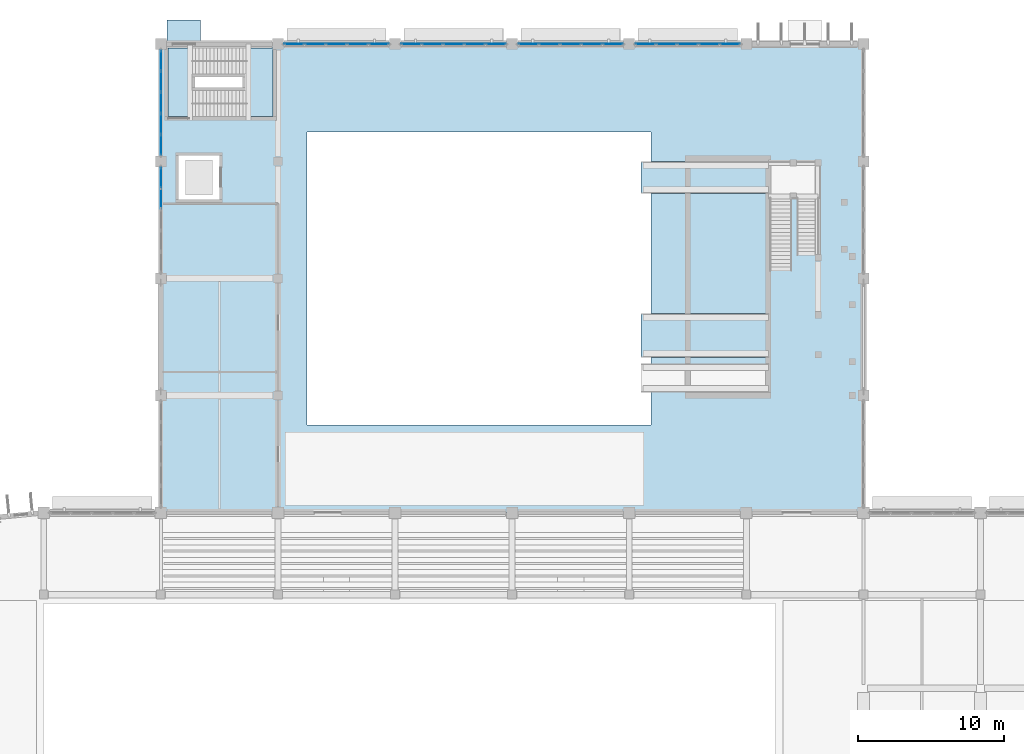
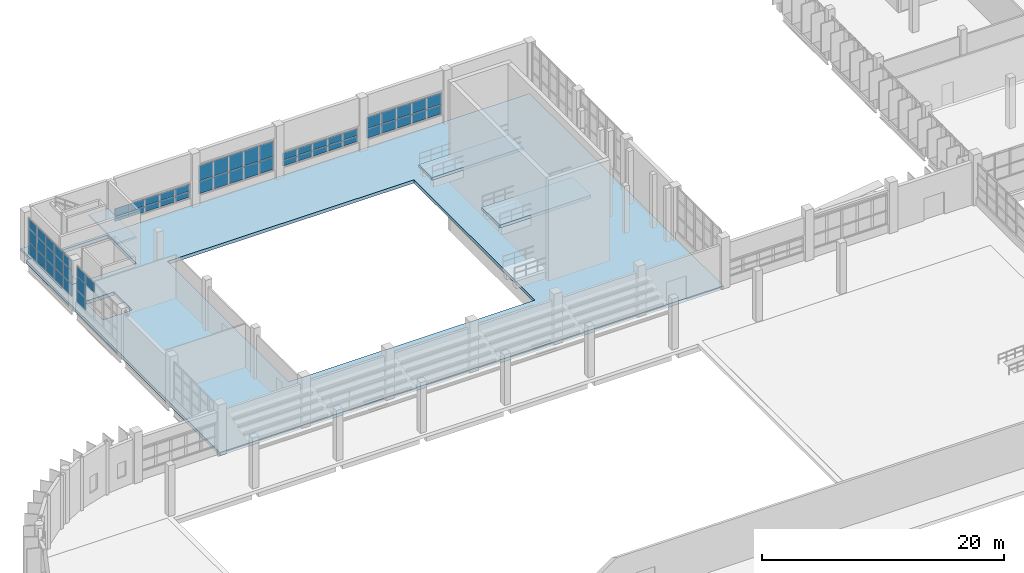
# One storey, part 58 of 103: 59 plates, 6 slabs, 7 elements without a shape of their own.
"""IFC4 building model written with IfcOpenShell, lengths in metres."""

from ifc_helpers import new_model, si_unit, direction, frame, origin, origin_2d, place, context, subcontext, project, spatial, polyline, rectangle, outline, extrude, material, layer, layer_set, type_object, element, aggregate, save


model = new_model("IFC4")

# Units and contexts
model_context = context("Model", 3, precision=1e-05, world=origin(), true_north=direction((0.0, 1.0)))
body_context = subcontext(model_context, "Body", "Model", "MODEL_VIEW")
ifc_project = project(units=[si_unit("LENGTHUNIT", "METRE"), si_unit("AREAUNIT", "SQUARE_METRE"), si_unit("VOLUMEUNIT", "CUBIC_METRE"), si_unit("PLANEANGLEUNIT", "RADIAN"), si_unit("MASSUNIT", "GRAM", prefix="KILO")], contexts=[model_context])

# Site, building, storey
site_placement = place(None, origin())
site = spatial("IfcSite", under=ifc_project, at=site_placement, CompositionType="ELEMENT")
building_placement = place(site_placement, origin())
building = spatial("IfcBuilding", under=site, at=building_placement, Name="Drelvana Railside Aquatics Centre", CompositionType="ELEMENT")
storey_placement = place(building_placement, origin())
storey = spatial("IfcBuildingStorey", under=building, at=storey_placement, Name="L00", CompositionType="ELEMENT", Elevation=0.0)

# Curtain wall, plates
ifc_material_1 = material(Name="Bronze-anodised aluminium curtain wall", Category="aluminium")
ifc_layer_1 = layer(ifc_material_1, 0.199951171875, Name="Bronze-anodised aluminium curtain wall")
ifc_layer_set_1 = layer_set([ifc_layer_1], Name="Bronze-anodised aluminium curtain wall")
curtain_wall_type_1 = type_object("IfcCurtainWallType", Name="CW-Z1-SINE", PredefinedType="NOTDEFINED", material=ifc_layer_set_1)
curtain_wall_1_placement = place(storey_placement, origin())
curtain_wall_1 = element("IfcCurtainWall", 1, at=curtain_wall_1_placement, inside=storey, type_object=curtain_wall_type_1, Name="Curtain wall CW-01-028", PredefinedType="NOTDEFINED")
ifc_material_2 = material(Name="Double-glazed low-e solar-control glass", Category="glass")
ifc_layer_2 = layer(ifc_material_2, 0.031982421875, Name="Double-glazed low-e solar-control glass")
ifc_layer_set_2 = layer_set([ifc_layer_2], Name="Double-glazed low-e solar-control glass")
plate_type_1 = type_object("IfcPlateType", Name="CW-Z1-SINE-PAN", PredefinedType="CURTAIN_PANEL", material=ifc_layer_set_2)
plate_1_placement = place(storey_placement, frame((33.114013671875, 116.0, 0.9091796875), z_axis=(0.0, 0.0, 1.0), x_axis=(1.0, 0.0, 0.0)))
plate_1 = element("IfcPlate", 2, at=plate_1_placement, type_object=plate_type_1, Name="CW-01 panel 1.1", PredefinedType="CURTAIN_PANEL", context=body_context, shape_type="SweptSolid", body=[
    extrude(rectangle(XDim=1.349853515625, YDim=0.031982421875, at=origin_2d()), origin(), (0.0, 0.0, 1.0), 0.551025390625),
])
plate_2_placement = place(storey_placement, frame((33.114013671875, 116.0, 1.52001953125), z_axis=(0.0, 0.0, 1.0), x_axis=(1.0, 0.0, 0.0)))
plate_2 = element("IfcPlate", 3, at=plate_2_placement, type_object=plate_type_1, Name="CW-01 panel 1.2", PredefinedType="CURTAIN_PANEL", context=body_context, shape_type="SweptSolid", body=[
    extrude(rectangle(XDim=1.349853515625, YDim=0.031982421875, at=origin_2d()), origin(), (0.0, 0.0, 1.0), 0.695068359375),
])
plate_3_placement = place(storey_placement, frame((34.547607421875, 116.0, 0.9091796875), z_axis=(0.0, 0.0, 1.0), x_axis=(1.0, 0.0, 0.0)))
plate_3 = element("IfcPlate", 4, at=plate_3_placement, type_object=plate_type_1, Name="CW-01 panel 2.1", PredefinedType="CURTAIN_PANEL", context=body_context, shape_type="SweptSolid", body=[
    extrude(rectangle(XDim=1.387451171875, YDim=0.031982421875, at=origin_2d()), origin(), (0.0, 0.0, 1.0), 0.551025390625),
])
plate_4_placement = place(storey_placement, frame((34.547607421875, 116.0, 1.52001953125), z_axis=(0.0, 0.0, 1.0), x_axis=(1.0, 0.0, 0.0)))
plate_4 = element("IfcPlate", 5, at=plate_4_placement, type_object=plate_type_1, Name="CW-01 panel 2.2", PredefinedType="CURTAIN_PANEL", context=body_context, shape_type="SweptSolid", body=[
    extrude(rectangle(XDim=1.387451171875, YDim=0.031982421875, at=origin_2d()), origin(), (0.0, 0.0, 1.0), 0.695068359375),
])
plate_5_placement = place(storey_placement, frame((36.0, 116.0, 0.9091796875), z_axis=(0.0, 0.0, 1.0), x_axis=(1.0, 0.0, 0.0)))
plate_5 = element("IfcPlate", 6, at=plate_5_placement, type_object=plate_type_1, Name="CW-01 panel 3.1", PredefinedType="CURTAIN_PANEL", context=body_context, shape_type="SweptSolid", body=[
    extrude(rectangle(XDim=1.387451171875, YDim=0.031982421875, at=origin_2d()), origin(), (0.0, 0.0, 1.0), 0.551025390625),
])
plate_6_placement = place(storey_placement, frame((36.0, 116.0, 1.52001953125), z_axis=(0.0, 0.0, 1.0), x_axis=(1.0, 0.0, 0.0)))
plate_6 = element("IfcPlate", 7, at=plate_6_placement, type_object=plate_type_1, Name="CW-01 panel 3.2", PredefinedType="CURTAIN_PANEL", context=body_context, shape_type="SweptSolid", body=[
    extrude(rectangle(XDim=1.387451171875, YDim=0.031982421875, at=origin_2d()), origin(), (0.0, 0.0, 1.0), 0.695068359375),
])
plate_7_placement = place(storey_placement, frame((37.452392578125, 116.0, 0.9091796875), z_axis=(0.0, 0.0, 1.0), x_axis=(1.0, 0.0, 0.0)))
plate_7 = element("IfcPlate", 8, at=plate_7_placement, type_object=plate_type_1, Name="CW-01 panel 4.1", PredefinedType="CURTAIN_PANEL", context=body_context, shape_type="SweptSolid", body=[
    extrude(rectangle(XDim=1.387451171875, YDim=0.031982421875, at=origin_2d()), origin(), (0.0, 0.0, 1.0), 0.551025390625),
])
plate_8_placement = place(storey_placement, frame((37.452392578125, 116.0, 1.52001953125), z_axis=(0.0, 0.0, 1.0), x_axis=(1.0, 0.0, 0.0)))
plate_8 = element("IfcPlate", 9, at=plate_8_placement, type_object=plate_type_1, Name="CW-01 panel 4.2", PredefinedType="CURTAIN_PANEL", context=body_context, shape_type="SweptSolid", body=[
    extrude(rectangle(XDim=1.387451171875, YDim=0.031982421875, at=origin_2d()), origin(), (0.0, 0.0, 1.0), 0.695068359375),
])
plate_9_placement = place(storey_placement, frame((38.885986328125, 116.0, 0.9091796875), z_axis=(0.0, 0.0, 1.0), x_axis=(1.0, 0.0, 0.0)))
plate_9 = element("IfcPlate", 10, at=plate_9_placement, type_object=plate_type_1, Name="CW-01 panel 5.1", PredefinedType="CURTAIN_PANEL", context=body_context, shape_type="SweptSolid", body=[
    extrude(rectangle(XDim=1.349853515625, YDim=0.031982421875, at=origin_2d()), origin(), (0.0, 0.0, 1.0), 0.551025390625),
])
plate_10_placement = place(storey_placement, frame((38.885986328125, 116.0, 1.52001953125), z_axis=(0.0, 0.0, 1.0), x_axis=(1.0, 0.0, 0.0)))
plate_10 = element("IfcPlate", 11, at=plate_10_placement, type_object=plate_type_1, Name="CW-01 panel 5.2", PredefinedType="CURTAIN_PANEL", context=body_context, shape_type="SweptSolid", body=[
    extrude(rectangle(XDim=1.349853515625, YDim=0.031982421875, at=origin_2d()), origin(), (0.0, 0.0, 1.0), 0.695068359375),
])
aggregate(curtain_wall_1, [plate_1, plate_2, plate_3, plate_4, plate_5, plate_6, plate_7, plate_8, plate_9, plate_10])

curtain_wall_2_placement = place(storey_placement, origin())
curtain_wall_2 = element("IfcCurtainWall", 12, at=curtain_wall_2_placement, inside=storey, type_object=curtain_wall_type_1, Name="Curtain wall CW-01-031", PredefinedType="NOTDEFINED")
plate_11_placement = place(storey_placement, frame((41.114013671875, 116.0, 0.908935546875), z_axis=(0.0, 0.0, 1.0), x_axis=(1.0, 0.0, 0.0)))
plate_11 = element("IfcPlate", 13, at=plate_11_placement, type_object=plate_type_1, Name="CW-01 panel 1.1", PredefinedType="CURTAIN_PANEL", context=body_context, shape_type="SweptSolid", body=[
    extrude(rectangle(XDim=1.349853515625, YDim=0.031982421875, at=origin_2d()), origin(), (0.0, 0.0, 1.0), 1.2490234375),
])
plate_12_placement = place(storey_placement, frame((41.114013671875, 116.0, 2.2177734375), z_axis=(0.0, 0.0, 1.0), x_axis=(1.0, 0.0, 0.0)))
plate_12 = element("IfcPlate", 14, at=plate_12_placement, type_object=plate_type_1, Name="CW-01 panel 1.2", PredefinedType="CURTAIN_PANEL", context=body_context, shape_type="SweptSolid", body=[
    extrude(rectangle(XDim=1.349853515625, YDim=0.031982421875, at=origin_2d()), origin(), (0.0, 0.0, 1.0), 1.547119140625),
])
plate_13_placement = place(storey_placement, frame((42.547607421875, 116.0, 0.908935546875), z_axis=(0.0, 0.0, 1.0), x_axis=(1.0, 0.0, 0.0)))
plate_13 = element("IfcPlate", 15, at=plate_13_placement, type_object=plate_type_1, Name="CW-01 panel 2.1", PredefinedType="CURTAIN_PANEL", context=body_context, shape_type="SweptSolid", body=[
    extrude(rectangle(XDim=1.387451171875, YDim=0.031982421875, at=origin_2d()), origin(), (0.0, 0.0, 1.0), 1.2490234375),
])
plate_14_placement = place(storey_placement, frame((42.547607421875, 116.0, 2.2177734375), z_axis=(0.0, 0.0, 1.0), x_axis=(1.0, 0.0, 0.0)))
plate_14 = element("IfcPlate", 16, at=plate_14_placement, type_object=plate_type_1, Name="CW-01 panel 2.2", PredefinedType="CURTAIN_PANEL", context=body_context, shape_type="SweptSolid", body=[
    extrude(rectangle(XDim=1.387451171875, YDim=0.031982421875, at=origin_2d()), origin(), (0.0, 0.0, 1.0), 1.547119140625),
])
plate_15_placement = place(storey_placement, frame((44.0, 116.0, 0.908935546875), z_axis=(0.0, 0.0, 1.0), x_axis=(1.0, 0.0, 0.0)))
plate_15 = element("IfcPlate", 17, at=plate_15_placement, type_object=plate_type_1, Name="CW-01 panel 3.1", PredefinedType="CURTAIN_PANEL", context=body_context, shape_type="SweptSolid", body=[
    extrude(rectangle(XDim=1.387451171875, YDim=0.031982421875, at=origin_2d()), origin(), (0.0, 0.0, 1.0), 1.2490234375),
])
plate_16_placement = place(storey_placement, frame((44.0, 116.0, 2.2177734375), z_axis=(0.0, 0.0, 1.0), x_axis=(1.0, 0.0, 0.0)))
plate_16 = element("IfcPlate", 18, at=plate_16_placement, type_object=plate_type_1, Name="CW-01 panel 3.2", PredefinedType="CURTAIN_PANEL", context=body_context, shape_type="SweptSolid", body=[
    extrude(rectangle(XDim=1.387451171875, YDim=0.031982421875, at=origin_2d()), origin(), (0.0, 0.0, 1.0), 1.547119140625),
])
plate_17_placement = place(storey_placement, frame((45.452392578125, 116.0, 0.908935546875), z_axis=(0.0, 0.0, 1.0), x_axis=(1.0, 0.0, 0.0)))
plate_17 = element("IfcPlate", 19, at=plate_17_placement, type_object=plate_type_1, Name="CW-01 panel 4.1", PredefinedType="CURTAIN_PANEL", context=body_context, shape_type="SweptSolid", body=[
    extrude(rectangle(XDim=1.387451171875, YDim=0.031982421875, at=origin_2d()), origin(), (0.0, 0.0, 1.0), 1.2490234375),
])
plate_18_placement = place(storey_placement, frame((45.452392578125, 116.0, 2.2177734375), z_axis=(0.0, 0.0, 1.0), x_axis=(1.0, 0.0, 0.0)))
plate_18 = element("IfcPlate", 20, at=plate_18_placement, type_object=plate_type_1, Name="CW-01 panel 4.2", PredefinedType="CURTAIN_PANEL", context=body_context, shape_type="SweptSolid", body=[
    extrude(rectangle(XDim=1.387451171875, YDim=0.031982421875, at=origin_2d()), origin(), (0.0, 0.0, 1.0), 1.547119140625),
])
plate_19_placement = place(storey_placement, frame((46.885986328125, 116.0, 0.908935546875), z_axis=(0.0, 0.0, 1.0), x_axis=(1.0, 0.0, 0.0)))
plate_19 = element("IfcPlate", 21, at=plate_19_placement, type_object=plate_type_1, Name="CW-01 panel 5.1", PredefinedType="CURTAIN_PANEL", context=body_context, shape_type="SweptSolid", body=[
    extrude(rectangle(XDim=1.349853515625, YDim=0.031982421875, at=origin_2d()), origin(), (0.0, 0.0, 1.0), 1.2490234375),
])
plate_20_placement = place(storey_placement, frame((46.885986328125, 116.0, 2.2177734375), z_axis=(0.0, 0.0, 1.0), x_axis=(1.0, 0.0, 0.0)))
plate_20 = element("IfcPlate", 22, at=plate_20_placement, type_object=plate_type_1, Name="CW-01 panel 5.2", PredefinedType="CURTAIN_PANEL", context=body_context, shape_type="SweptSolid", body=[
    extrude(rectangle(XDim=1.349853515625, YDim=0.031982421875, at=origin_2d()), origin(), (0.0, 0.0, 1.0), 1.547119140625),
])
aggregate(curtain_wall_2, [plate_11, plate_12, plate_13, plate_14, plate_15, plate_16, plate_17, plate_18, plate_19, plate_20])

curtain_wall_3_placement = place(storey_placement, origin())
curtain_wall_3 = element("IfcCurtainWall", 23, at=curtain_wall_3_placement, inside=storey, type_object=curtain_wall_type_1, Name="Curtain wall CW-01-034", PredefinedType="NOTDEFINED")
plate_21_placement = place(storey_placement, frame((49.114013671875, 116.0, 0.9091796875), z_axis=(0.0, 0.0, 1.0), x_axis=(1.0, 0.0, 0.0)))
plate_21 = element("IfcPlate", 24, at=plate_21_placement, type_object=plate_type_1, Name="CW-01 panel 1.1", PredefinedType="CURTAIN_PANEL", context=body_context, shape_type="SweptSolid", body=[
    extrude(rectangle(XDim=1.349853515625, YDim=0.031982421875, at=origin_2d()), origin(), (0.0, 0.0, 1.0), 0.553955078125),
])
plate_22_placement = place(storey_placement, frame((49.114013671875, 116.0, 1.52294921875), z_axis=(0.0, 0.0, 1.0), x_axis=(1.0, 0.0, 0.0)))
plate_22 = element("IfcPlate", 25, at=plate_22_placement, type_object=plate_type_1, Name="CW-01 panel 1.2", PredefinedType="CURTAIN_PANEL", context=body_context, shape_type="SweptSolid", body=[
    extrude(rectangle(XDim=1.349853515625, YDim=0.031982421875, at=origin_2d()), origin(), (0.0, 0.0, 1.0), 0.697998046875),
])
plate_23_placement = place(storey_placement, frame((50.547607421875, 116.0, 0.9091796875), z_axis=(0.0, 0.0, 1.0), x_axis=(1.0, 0.0, 0.0)))
plate_23 = element("IfcPlate", 26, at=plate_23_placement, type_object=plate_type_1, Name="CW-01 panel 2.1", PredefinedType="CURTAIN_PANEL", context=body_context, shape_type="SweptSolid", body=[
    extrude(rectangle(XDim=1.387451171875, YDim=0.031982421875, at=origin_2d()), origin(), (0.0, 0.0, 1.0), 0.553955078125),
])
plate_24_placement = place(storey_placement, frame((50.547607421875, 116.0, 1.52294921875), z_axis=(0.0, 0.0, 1.0), x_axis=(1.0, 0.0, 0.0)))
plate_24 = element("IfcPlate", 27, at=plate_24_placement, type_object=plate_type_1, Name="CW-01 panel 2.2", PredefinedType="CURTAIN_PANEL", context=body_context, shape_type="SweptSolid", body=[
    extrude(rectangle(XDim=1.387451171875, YDim=0.031982421875, at=origin_2d()), origin(), (0.0, 0.0, 1.0), 0.697998046875),
])
plate_25_placement = place(storey_placement, frame((52.0, 116.0, 0.9091796875), z_axis=(0.0, 0.0, 1.0), x_axis=(1.0, 0.0, 0.0)))
plate_25 = element("IfcPlate", 28, at=plate_25_placement, type_object=plate_type_1, Name="CW-01 panel 3.1", PredefinedType="CURTAIN_PANEL", context=body_context, shape_type="SweptSolid", body=[
    extrude(rectangle(XDim=1.387451171875, YDim=0.031982421875, at=origin_2d()), origin(), (0.0, 0.0, 1.0), 0.553955078125),
])
plate_26_placement = place(storey_placement, frame((52.0, 116.0, 1.52294921875), z_axis=(0.0, 0.0, 1.0), x_axis=(1.0, 0.0, 0.0)))
plate_26 = element("IfcPlate", 29, at=plate_26_placement, type_object=plate_type_1, Name="CW-01 panel 3.2", PredefinedType="CURTAIN_PANEL", context=body_context, shape_type="SweptSolid", body=[
    extrude(rectangle(XDim=1.387451171875, YDim=0.031982421875, at=origin_2d()), origin(), (0.0, 0.0, 1.0), 0.697998046875),
])
plate_27_placement = place(storey_placement, frame((53.452392578125, 116.0, 0.9091796875), z_axis=(0.0, 0.0, 1.0), x_axis=(1.0, 0.0, 0.0)))
plate_27 = element("IfcPlate", 30, at=plate_27_placement, type_object=plate_type_1, Name="CW-01 panel 4.1", PredefinedType="CURTAIN_PANEL", context=body_context, shape_type="SweptSolid", body=[
    extrude(rectangle(XDim=1.387451171875, YDim=0.031982421875, at=origin_2d()), origin(), (0.0, 0.0, 1.0), 0.553955078125),
])
plate_28_placement = place(storey_placement, frame((53.452392578125, 116.0, 1.52294921875), z_axis=(0.0, 0.0, 1.0), x_axis=(1.0, 0.0, 0.0)))
plate_28 = element("IfcPlate", 31, at=plate_28_placement, type_object=plate_type_1, Name="CW-01 panel 4.2", PredefinedType="CURTAIN_PANEL", context=body_context, shape_type="SweptSolid", body=[
    extrude(rectangle(XDim=1.387451171875, YDim=0.031982421875, at=origin_2d()), origin(), (0.0, 0.0, 1.0), 0.697998046875),
])
plate_29_placement = place(storey_placement, frame((54.885986328125, 116.0, 0.9091796875), z_axis=(0.0, 0.0, 1.0), x_axis=(1.0, 0.0, 0.0)))
plate_29 = element("IfcPlate", 32, at=plate_29_placement, type_object=plate_type_1, Name="CW-01 panel 5.1", PredefinedType="CURTAIN_PANEL", context=body_context, shape_type="SweptSolid", body=[
    extrude(rectangle(XDim=1.349853515625, YDim=0.031982421875, at=origin_2d()), origin(), (0.0, 0.0, 1.0), 0.553955078125),
])
plate_30_placement = place(storey_placement, frame((54.885986328125, 116.0, 1.52294921875), z_axis=(0.0, 0.0, 1.0), x_axis=(1.0, 0.0, 0.0)))
plate_30 = element("IfcPlate", 33, at=plate_30_placement, type_object=plate_type_1, Name="CW-01 panel 5.2", PredefinedType="CURTAIN_PANEL", context=body_context, shape_type="SweptSolid", body=[
    extrude(rectangle(XDim=1.349853515625, YDim=0.031982421875, at=origin_2d()), origin(), (0.0, 0.0, 1.0), 0.697998046875),
])
aggregate(curtain_wall_3, [plate_21, plate_22, plate_23, plate_24, plate_25, plate_26, plate_27, plate_28, plate_29, plate_30])

curtain_wall_4_placement = place(storey_placement, origin())
curtain_wall_4 = element("IfcCurtainWall", 34, at=curtain_wall_4_placement, inside=storey, type_object=curtain_wall_type_1, Name="Curtain wall CW-01-037", PredefinedType="NOTDEFINED")
plate_31_placement = place(storey_placement, frame((57.114013671875, 116.0, 0.9091796875), z_axis=(0.0, 0.0, 1.0), x_axis=(1.0, 0.0, 0.0)))
plate_31 = element("IfcPlate", 35, at=plate_31_placement, type_object=plate_type_1, Name="CW-01 panel 1.1", PredefinedType="CURTAIN_PANEL", context=body_context, shape_type="SweptSolid", body=[
    extrude(rectangle(XDim=1.349853515625, YDim=0.031982421875, at=origin_2d()), origin(), (0.0, 0.0, 1.0), 0.910888671875),
])
plate_32_placement = place(storey_placement, frame((57.114013671875, 116.0, 1.8798828125), z_axis=(0.0, 0.0, 1.0), x_axis=(1.0, 0.0, 0.0)))
plate_32 = element("IfcPlate", 36, at=plate_32_placement, type_object=plate_type_1, Name="CW-01 panel 1.2", PredefinedType="CURTAIN_PANEL", context=body_context, shape_type="SweptSolid", body=[
    extrude(rectangle(XDim=1.349853515625, YDim=0.031982421875, at=origin_2d()), origin(), (0.0, 0.0, 1.0), 1.135009765625),
])
plate_33_placement = place(storey_placement, frame((58.547607421875, 116.0, 0.9091796875), z_axis=(0.0, 0.0, 1.0), x_axis=(1.0, 0.0, 0.0)))
plate_33 = element("IfcPlate", 37, at=plate_33_placement, type_object=plate_type_1, Name="CW-01 panel 2.1", PredefinedType="CURTAIN_PANEL", context=body_context, shape_type="SweptSolid", body=[
    extrude(rectangle(XDim=1.387451171875, YDim=0.031982421875, at=origin_2d()), origin(), (0.0, 0.0, 1.0), 0.910888671875),
])
plate_34_placement = place(storey_placement, frame((58.547607421875, 116.0, 1.8798828125), z_axis=(0.0, 0.0, 1.0), x_axis=(1.0, 0.0, 0.0)))
plate_34 = element("IfcPlate", 38, at=plate_34_placement, type_object=plate_type_1, Name="CW-01 panel 2.2", PredefinedType="CURTAIN_PANEL", context=body_context, shape_type="SweptSolid", body=[
    extrude(rectangle(XDim=1.387451171875, YDim=0.031982421875, at=origin_2d()), origin(), (0.0, 0.0, 1.0), 1.135009765625),
])
plate_35_placement = place(storey_placement, frame((60.0, 116.0, 0.9091796875), z_axis=(0.0, 0.0, 1.0), x_axis=(1.0, 0.0, 0.0)))
plate_35 = element("IfcPlate", 39, at=plate_35_placement, type_object=plate_type_1, Name="CW-01 panel 3.1", PredefinedType="CURTAIN_PANEL", context=body_context, shape_type="SweptSolid", body=[
    extrude(rectangle(XDim=1.387451171875, YDim=0.031982421875, at=origin_2d()), origin(), (0.0, 0.0, 1.0), 0.910888671875),
])
plate_36_placement = place(storey_placement, frame((60.0, 116.0, 1.8798828125), z_axis=(0.0, 0.0, 1.0), x_axis=(1.0, 0.0, 0.0)))
plate_36 = element("IfcPlate", 40, at=plate_36_placement, type_object=plate_type_1, Name="CW-01 panel 3.2", PredefinedType="CURTAIN_PANEL", context=body_context, shape_type="SweptSolid", body=[
    extrude(rectangle(XDim=1.387451171875, YDim=0.031982421875, at=origin_2d()), origin(), (0.0, 0.0, 1.0), 1.135009765625),
])
plate_37_placement = place(storey_placement, frame((61.452392578125, 116.0, 0.9091796875), z_axis=(0.0, 0.0, 1.0), x_axis=(1.0, 0.0, 0.0)))
plate_37 = element("IfcPlate", 41, at=plate_37_placement, type_object=plate_type_1, Name="CW-01 panel 4.1", PredefinedType="CURTAIN_PANEL", context=body_context, shape_type="SweptSolid", body=[
    extrude(rectangle(XDim=1.387451171875, YDim=0.031982421875, at=origin_2d()), origin(), (0.0, 0.0, 1.0), 0.910888671875),
])
plate_38_placement = place(storey_placement, frame((61.452392578125, 116.0, 1.8798828125), z_axis=(0.0, 0.0, 1.0), x_axis=(1.0, 0.0, 0.0)))
plate_38 = element("IfcPlate", 42, at=plate_38_placement, type_object=plate_type_1, Name="CW-01 panel 4.2", PredefinedType="CURTAIN_PANEL", context=body_context, shape_type="SweptSolid", body=[
    extrude(rectangle(XDim=1.387451171875, YDim=0.031982421875, at=origin_2d()), origin(), (0.0, 0.0, 1.0), 1.135009765625),
])
plate_39_placement = place(storey_placement, frame((62.885986328125, 116.0, 0.9091796875), z_axis=(0.0, 0.0, 1.0), x_axis=(1.0, 0.0, 0.0)))
plate_39 = element("IfcPlate", 43, at=plate_39_placement, type_object=plate_type_1, Name="CW-01 panel 5.1", PredefinedType="CURTAIN_PANEL", context=body_context, shape_type="SweptSolid", body=[
    extrude(rectangle(XDim=1.349853515625, YDim=0.031982421875, at=origin_2d()), origin(), (0.0, 0.0, 1.0), 0.910888671875),
])
plate_40_placement = place(storey_placement, frame((62.885986328125, 116.0, 1.8798828125), z_axis=(0.0, 0.0, 1.0), x_axis=(1.0, 0.0, 0.0)))
plate_40 = element("IfcPlate", 44, at=plate_40_placement, type_object=plate_type_1, Name="CW-01 panel 5.2", PredefinedType="CURTAIN_PANEL", context=body_context, shape_type="SweptSolid", body=[
    extrude(rectangle(XDim=1.349853515625, YDim=0.031982421875, at=origin_2d()), origin(), (0.0, 0.0, 1.0), 1.135009765625),
])
aggregate(curtain_wall_4, [plate_31, plate_32, plate_33, plate_34, plate_35, plate_36, plate_37, plate_38, plate_39, plate_40])

ifc_layer_3 = layer(ifc_material_1, 0.2099609375, Name="Bronze-anodised aluminium curtain wall")
ifc_layer_set_3 = layer_set([ifc_layer_3], Name="Bronze-anodised aluminium curtain wall")
curtain_wall_type_2 = type_object("IfcCurtainWallType", Name="CW-Z7-DIVE", PredefinedType="NOTDEFINED", material=ifc_layer_set_3)
curtain_wall_5_placement = place(storey_placement, origin())
curtain_wall_5 = element("IfcCurtainWall", 45, at=curtain_wall_5_placement, inside=storey, type_object=curtain_wall_type_2, Name="Curtain wall CW-07-084", PredefinedType="NOTDEFINED")
ifc_layer_4 = layer(ifc_material_2, 0.033935546875, Name="Double-glazed low-e solar-control glass")
ifc_layer_set_4 = layer_set([ifc_layer_4], Name="Double-glazed low-e solar-control glass")
plate_type_2 = type_object("IfcPlateType", Name="CW-Z7-DIVE-PAN", PredefinedType="CURTAIN_PANEL", material=ifc_layer_set_4)
plate_41_placement = place(storey_placement, frame((24.0, 105.452392578125, 3.5458984375), z_axis=(0.0, 0.0, 1.0), x_axis=(0.0, 1.0, 0.0)))
plate_41 = element("IfcPlate", 46, at=plate_41_placement, type_object=plate_type_2, Name="CW-07 panel 4.3", PredefinedType="CURTAIN_PANEL", context=body_context, shape_type="SweptSolid", body=[
    extrude(rectangle(XDim=1.38232421875, YDim=0.033935546875, at=origin_2d()), origin(), (0.0, 0.0, 1.0), 0.944091796875),
])
plate_42_placement = place(storey_placement, frame((24.0, 106.884765625, 0.908935546875), z_axis=(0.0, 0.0, 1.0), x_axis=(0.0, 1.0, 0.0)))
plate_42 = element("IfcPlate", 47, at=plate_42_placement, type_object=plate_type_2, Name="CW-07 panel 5.1", PredefinedType="CURTAIN_PANEL", context=body_context, shape_type="SweptSolid", body=[
    extrude(rectangle(XDim=1.34228515625, YDim=0.033935546875, at=origin_2d()), origin(), (0.0, 0.0, 1.0), 1.2041015625),
])
plate_43_placement = place(storey_placement, frame((24.0, 106.884765625, 2.173095703125), z_axis=(0.0, 0.0, 1.0), x_axis=(0.0, 1.0, 0.0)))
plate_43 = element("IfcPlate", 48, at=plate_43_placement, type_object=plate_type_2, Name="CW-07 panel 5.2", PredefinedType="CURTAIN_PANEL", context=body_context, shape_type="SweptSolid", body=[
    extrude(rectangle(XDim=1.34228515625, YDim=0.033935546875, at=origin_2d()), origin(), (0.0, 0.0, 1.0), 1.31298828125),
])
plate_44_placement = place(storey_placement, frame((24.0, 106.884765625, 3.5458984375), z_axis=(0.0, 0.0, 1.0), x_axis=(0.0, 1.0, 0.0)))
plate_44 = element("IfcPlate", 49, at=plate_44_placement, type_object=plate_type_2, Name="CW-07 panel 5.3", PredefinedType="CURTAIN_PANEL", context=body_context, shape_type="SweptSolid", body=[
    extrude(rectangle(XDim=1.34228515625, YDim=0.033935546875, at=origin_2d()), origin(), (0.0, 0.0, 1.0), 0.944091796875),
])
aggregate(curtain_wall_5, [plate_41, plate_42, plate_43, plate_44])

curtain_wall_6_placement = place(storey_placement, origin())
curtain_wall_6 = element("IfcCurtainWall", 50, at=curtain_wall_6_placement, inside=storey, type_object=curtain_wall_type_2, Name="Curtain wall CW-07-087", PredefinedType="NOTDEFINED")
plate_45_placement = place(storey_placement, frame((24.0, 109.115234375, 0.908935546875), z_axis=(0.0, 0.0, 1.0), x_axis=(0.0, 1.0, 0.0)))
plate_45 = element("IfcPlate", 51, at=plate_45_placement, type_object=plate_type_2, Name="CW-07 panel 1.1", PredefinedType="CURTAIN_PANEL", context=body_context, shape_type="SweptSolid", body=[
    extrude(rectangle(XDim=1.34228515625, YDim=0.033935546875, at=origin_2d()), origin(), (0.0, 0.0, 1.0), 1.2041015625),
])
plate_46_placement = place(storey_placement, frame((24.0, 109.115234375, 2.173095703125), z_axis=(0.0, 0.0, 1.0), x_axis=(0.0, 1.0, 0.0)))
plate_46 = element("IfcPlate", 52, at=plate_46_placement, type_object=plate_type_2, Name="CW-07 panel 1.2", PredefinedType="CURTAIN_PANEL", context=body_context, shape_type="SweptSolid", body=[
    extrude(rectangle(XDim=1.34228515625, YDim=0.033935546875, at=origin_2d()), origin(), (0.0, 0.0, 1.0), 1.31298828125),
])
plate_47_placement = place(storey_placement, frame((24.0, 109.115234375, 3.5458984375), z_axis=(0.0, 0.0, 1.0), x_axis=(0.0, 1.0, 0.0)))
plate_47 = element("IfcPlate", 53, at=plate_47_placement, type_object=plate_type_2, Name="CW-07 panel 1.3", PredefinedType="CURTAIN_PANEL", context=body_context, shape_type="SweptSolid", body=[
    extrude(rectangle(XDim=1.34228515625, YDim=0.033935546875, at=origin_2d()), origin(), (0.0, 0.0, 1.0), 0.944091796875),
])
plate_48_placement = place(storey_placement, frame((24.0, 110.547607421875, 0.908935546875), z_axis=(0.0, 0.0, 1.0), x_axis=(0.0, 1.0, 0.0)))
plate_48 = element("IfcPlate", 54, at=plate_48_placement, type_object=plate_type_2, Name="CW-07 panel 2.1", PredefinedType="CURTAIN_PANEL", context=body_context, shape_type="SweptSolid", body=[
    extrude(rectangle(XDim=1.38232421875, YDim=0.033935546875, at=origin_2d()), origin(), (0.0, 0.0, 1.0), 1.2041015625),
])
plate_49_placement = place(storey_placement, frame((24.0, 110.547607421875, 2.173095703125), z_axis=(0.0, 0.0, 1.0), x_axis=(0.0, 1.0, 0.0)))
plate_49 = element("IfcPlate", 55, at=plate_49_placement, type_object=plate_type_2, Name="CW-07 panel 2.2", PredefinedType="CURTAIN_PANEL", context=body_context, shape_type="SweptSolid", body=[
    extrude(rectangle(XDim=1.38232421875, YDim=0.033935546875, at=origin_2d()), origin(), (0.0, 0.0, 1.0), 1.31298828125),
])
plate_50_placement = place(storey_placement, frame((24.0, 110.547607421875, 3.5458984375), z_axis=(0.0, 0.0, 1.0), x_axis=(0.0, 1.0, 0.0)))
plate_50 = element("IfcPlate", 56, at=plate_50_placement, type_object=plate_type_2, Name="CW-07 panel 2.3", PredefinedType="CURTAIN_PANEL", context=body_context, shape_type="SweptSolid", body=[
    extrude(rectangle(XDim=1.38232421875, YDim=0.033935546875, at=origin_2d()), origin(), (0.0, 0.0, 1.0), 0.944091796875),
])
plate_51_placement = place(storey_placement, frame((24.0, 112.0, 0.908935546875), z_axis=(0.0, 0.0, 1.0), x_axis=(0.0, 1.0, 0.0)))
plate_51 = element("IfcPlate", 57, at=plate_51_placement, type_object=plate_type_2, Name="CW-07 panel 3.1", PredefinedType="CURTAIN_PANEL", context=body_context, shape_type="SweptSolid", body=[
    extrude(rectangle(XDim=1.38232421875, YDim=0.033935546875, at=origin_2d()), origin(), (0.0, 0.0, 1.0), 1.2041015625),
])
plate_52_placement = place(storey_placement, frame((24.0, 112.0, 2.173095703125), z_axis=(0.0, 0.0, 1.0), x_axis=(0.0, 1.0, 0.0)))
plate_52 = element("IfcPlate", 58, at=plate_52_placement, type_object=plate_type_2, Name="CW-07 panel 3.2", PredefinedType="CURTAIN_PANEL", context=body_context, shape_type="SweptSolid", body=[
    extrude(rectangle(XDim=1.38232421875, YDim=0.033935546875, at=origin_2d()), origin(), (0.0, 0.0, 1.0), 1.31298828125),
])
plate_53_placement = place(storey_placement, frame((24.0, 112.0, 3.5458984375), z_axis=(0.0, 0.0, 1.0), x_axis=(0.0, 1.0, 0.0)))
plate_53 = element("IfcPlate", 59, at=plate_53_placement, type_object=plate_type_2, Name="CW-07 panel 3.3", PredefinedType="CURTAIN_PANEL", context=body_context, shape_type="SweptSolid", body=[
    extrude(rectangle(XDim=1.38232421875, YDim=0.033935546875, at=origin_2d()), origin(), (0.0, 0.0, 1.0), 0.944091796875),
])
plate_54_placement = place(storey_placement, frame((24.0, 113.452392578125, 0.908935546875), z_axis=(0.0, 0.0, 1.0), x_axis=(0.0, 1.0, 0.0)))
plate_54 = element("IfcPlate", 60, at=plate_54_placement, type_object=plate_type_2, Name="CW-07 panel 4.1", PredefinedType="CURTAIN_PANEL", context=body_context, shape_type="SweptSolid", body=[
    extrude(rectangle(XDim=1.38232421875, YDim=0.033935546875, at=origin_2d()), origin(), (0.0, 0.0, 1.0), 1.2041015625),
])
plate_55_placement = place(storey_placement, frame((24.0, 113.452392578125, 2.173095703125), z_axis=(0.0, 0.0, 1.0), x_axis=(0.0, 1.0, 0.0)))
plate_55 = element("IfcPlate", 61, at=plate_55_placement, type_object=plate_type_2, Name="CW-07 panel 4.2", PredefinedType="CURTAIN_PANEL", context=body_context, shape_type="SweptSolid", body=[
    extrude(rectangle(XDim=1.38232421875, YDim=0.033935546875, at=origin_2d()), origin(), (0.0, 0.0, 1.0), 1.31298828125),
])
plate_56_placement = place(storey_placement, frame((24.0, 113.452392578125, 3.5458984375), z_axis=(0.0, 0.0, 1.0), x_axis=(0.0, 1.0, 0.0)))
plate_56 = element("IfcPlate", 62, at=plate_56_placement, type_object=plate_type_2, Name="CW-07 panel 4.3", PredefinedType="CURTAIN_PANEL", context=body_context, shape_type="SweptSolid", body=[
    extrude(rectangle(XDim=1.38232421875, YDim=0.033935546875, at=origin_2d()), origin(), (0.0, 0.0, 1.0), 0.944091796875),
])
plate_57_placement = place(storey_placement, frame((24.0, 114.884765625, 0.908935546875), z_axis=(0.0, 0.0, 1.0), x_axis=(0.0, 1.0, 0.0)))
plate_57 = element("IfcPlate", 63, at=plate_57_placement, type_object=plate_type_2, Name="CW-07 panel 5.1", PredefinedType="CURTAIN_PANEL", context=body_context, shape_type="SweptSolid", body=[
    extrude(rectangle(XDim=1.34228515625, YDim=0.033935546875, at=origin_2d()), origin(), (0.0, 0.0, 1.0), 1.2041015625),
])
plate_58_placement = place(storey_placement, frame((24.0, 114.884765625, 2.173095703125), z_axis=(0.0, 0.0, 1.0), x_axis=(0.0, 1.0, 0.0)))
plate_58 = element("IfcPlate", 64, at=plate_58_placement, type_object=plate_type_2, Name="CW-07 panel 5.2", PredefinedType="CURTAIN_PANEL", context=body_context, shape_type="SweptSolid", body=[
    extrude(rectangle(XDim=1.34228515625, YDim=0.033935546875, at=origin_2d()), origin(), (0.0, 0.0, 1.0), 1.31298828125),
])
plate_59_placement = place(storey_placement, frame((24.0, 114.884765625, 3.5458984375), z_axis=(0.0, 0.0, 1.0), x_axis=(0.0, 1.0, 0.0)))
plate_59 = element("IfcPlate", 65, at=plate_59_placement, type_object=plate_type_2, Name="CW-07 panel 5.3", PredefinedType="CURTAIN_PANEL", context=body_context, shape_type="SweptSolid", body=[
    extrude(rectangle(XDim=1.34228515625, YDim=0.033935546875, at=origin_2d()), origin(), (0.0, 0.0, 1.0), 0.944091796875),
])
aggregate(curtain_wall_6, [plate_45, plate_46, plate_47, plate_48, plate_49, plate_50, plate_51, plate_52, plate_53, plate_54, plate_55, plate_56, plate_57, plate_58, plate_59])

# Slabs
ifc_material_3 = material(Name="Concrete C40/50", Category="concrete")
ifc_layer_5 = layer(ifc_material_3, 0.2900390625, Name="Concrete C40/50")
ifc_layer_set_5 = layer_set([ifc_layer_5], Name="Concrete C40/50")
slab_type_1 = type_object("IfcSlabType", Name="SL-DV-290", PredefinedType="FLOOR", material=ifc_layer_set_5)
slab_1_placement = place(storey_placement, frame((0.0, 0.0, 2.7099609375)))
element("IfcSlab", 66, at=slab_1_placement, inside=storey, type_object=slab_type_1, Name="Diving platform 3M slab", PredefinedType="FLOOR", context=body_context, shape_type="SweptSolid", body=[
    extrude(outline(polyline([(56.800048828125, 105.800048828125), (65.5, 105.800048828125), (65.5, 108.0), (56.800048828125, 108.0), (56.800048828125, 105.800048828125)])), origin(), (0.0, 0.0, 1.0), 0.2900390625),
])
ifc_layer_6 = layer(ifc_material_3, 0.31005859375, Name="Concrete C40/50")
ifc_layer_set_6 = layer_set([ifc_layer_6], Name="Concrete C40/50")
slab_type_2 = type_object("IfcSlabType", Name="SL-DV-310", PredefinedType="FLOOR", material=ifc_layer_set_6)
slab_2_placement = place(storey_placement, frame((0.0, 0.0, 4.68994140625)))
element("IfcSlab", 67, at=slab_2_placement, inside=storey, type_object=slab_type_2, Name="Diving platform 5M slab", PredefinedType="FLOOR", context=body_context, shape_type="SweptSolid", body=[
    extrude(outline(polyline([(56.800048828125, 94.60009765625), (65.5, 94.60009765625), (65.5, 97.60009765625), (56.800048828125, 97.60009765625), (56.800048828125, 94.60009765625)])), origin(), (0.0, 0.0, 1.0), 0.31005859375),
])
ifc_layer_7 = layer(ifc_material_3, 0.330078125, Name="Concrete C40/50")
ifc_layer_set_7 = layer_set([ifc_layer_7], Name="Concrete C40/50")
slab_type_3 = type_object("IfcSlabType", Name="SL-L00-330", PredefinedType="FLOOR", material=ifc_layer_set_7)
slab_3_placement = place(storey_placement, frame((0.0, 0.0, -0.330078125)))
element("IfcSlab", 68, at=slab_3_placement, inside=storey, type_object=slab_type_3, Name="Diving Hall ground deck slab", PredefinedType="FLOOR", context=body_context, shape_type="SweptSolid", body=[
    extrude(outline(polyline([(24.0, 84.0), (72.0, 84.0), (72.0, 116.0), (24.0, 116.0), (24.0, 84.0)]), holes=[polyline([(34.0, 90.0), (57.5, 90.0), (57.5, 110.0), (34.0, 110.0), (34.0, 90.0)]), polyline([(24.5, 111.050048828125), (31.64990234375, 111.050048828125), (31.64990234375, 115.75), (24.5, 115.75), (24.5, 111.050048828125)]), polyline([(25.199951171875, 105.39990234375), (28.0, 105.39990234375), (28.0, 108.39990234375), (25.199951171875, 108.39990234375), (25.199951171875, 105.39990234375)])]), origin(), (0.0, 0.0, 1.0), 0.330078125),
])
ifc_layer_8 = layer(ifc_material_3, 0.199951171875, Name="Concrete C40/50")
ifc_layer_set_8 = layer_set([ifc_layer_8], Name="Concrete C40/50")
slab_type_4 = type_object("IfcSlabType", Name="SL-LAND-200", PredefinedType="LANDING", material=ifc_layer_set_8)
slab_4_placement = place(storey_placement, frame((0.0, 0.0, -0.199951171875)))
element("IfcSlab", 69, at=slab_4_placement, inside=storey, type_object=slab_type_4, Name="Stair ST-03 L00 floor landing", PredefinedType="LANDING", context=body_context, shape_type="SweptSolid", body=[
    extrude(outline(polyline([(24.5, 111.050048828125), (26.179931640625, 111.050048828125), (26.179931640625, 115.75), (24.5, 115.75), (24.5, 111.050048828125)])), origin(), (0.0, 0.0, 1.0), 0.199951171875),
])

# Stair, slab
stair_type = type_object("IfcStairType", Name="ST-CORE-L00", PredefinedType="HALF_TURN_STAIR", material=ifc_material_3)
stair_placement = place(storey_placement, origin())
stair = element("IfcStair", 70, at=stair_placement, inside=storey, type_object=stair_type, Name="Exit stair ST-03 (L00 to L01)", PredefinedType="HALF_TURN_STAIR")
slab_5_placement = place(storey_placement, frame((0.0, 0.0, 2.5)))
slab_5 = element("IfcSlab", 71, at=slab_5_placement, type_object=slab_type_4, Name="ST-L0 landing 1", PredefinedType="LANDING", context=body_context, shape_type="SweptSolid", body=[
    extrude(outline(polyline([(29.81005859375, 111.050048828125), (31.64990234375, 111.050048828125), (31.64990234375, 115.75), (29.81005859375, 115.75), (29.81005859375, 111.050048828125)])), origin(), (0.0, 0.0, 1.0), 0.199951171875),
])
aggregate(stair, [slab_5])

# Slab
ifc_material_4 = material(Name="Precast concrete C40/50", Category="concrete")
ifc_layer_9 = layer(ifc_material_4, 0.2099609375, Name="Precast concrete C40/50")
ifc_layer_set_9 = layer_set([ifc_layer_9], Name="Precast concrete C40/50")
slab_type_5 = type_object("IfcSlabType", Name="SL-PAV-210", PredefinedType="BASESLAB", material=ifc_layer_set_9)
slab_6_placement = place(storey_placement, frame((0.0, 0.0, -0.2099609375)))
element("IfcSlab", 72, at=slab_6_placement, inside=storey, type_object=slab_type_5, Name="Exterior threshold landing apron 004", PredefinedType="BASESLAB", context=body_context, shape_type="SweptSolid", body=[
    extrude(outline(polyline([(24.425048828125, 116.0048828125), (26.72509765625, 116.0048828125), (26.72509765625, 117.655029296875), (24.425048828125, 117.655029296875), (24.425048828125, 116.0048828125)])), origin(), (0.0, 0.0, 1.0), 0.2099609375),
])

save(model, "model.ifc")
